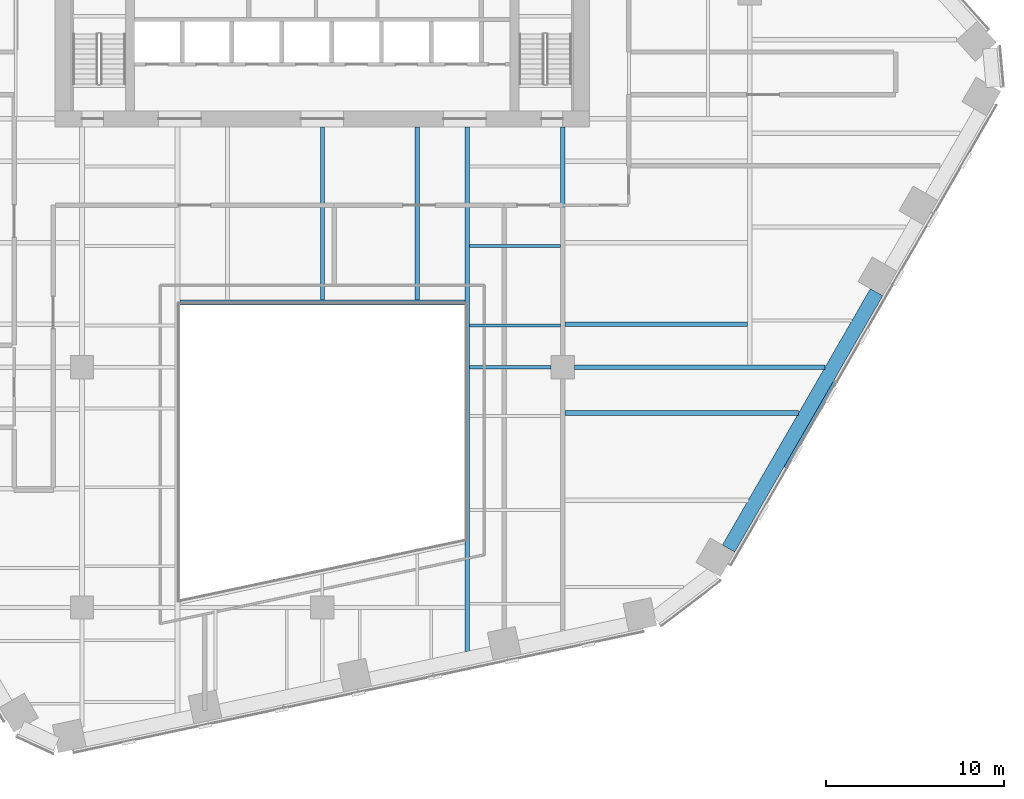
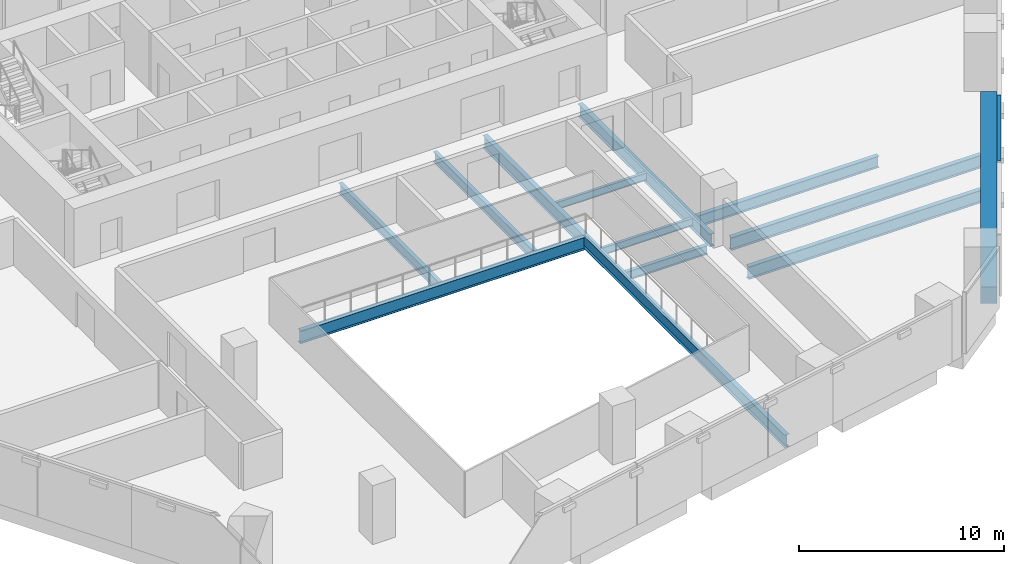
# One storey, part 6 of 21: 12 beams, 1 member, 1 element without a shape of its own.
"""IFC4 building model written with IfcOpenShell, lengths in metres."""

from ifc_helpers import new_model, si_unit, direction, frame, origin, origin_2d, place, context, subcontext, project, spatial, rectangle, i_section, extrude, material, layer, layer_set, material_profile, profile_set, type_object, element, aggregate, save


model = new_model("IFC4")

# Units and contexts
model_context = context("Model", 3, precision=1e-05, world=origin(), true_north=direction((0.0, 1.0)))
body_context = subcontext(model_context, "Body", "Model", "MODEL_VIEW")
ifc_project = project(units=[si_unit("LENGTHUNIT", "METRE"), si_unit("AREAUNIT", "SQUARE_METRE"), si_unit("VOLUMEUNIT", "CUBIC_METRE"), si_unit("PLANEANGLEUNIT", "RADIAN"), si_unit("MASSUNIT", "GRAM", prefix="KILO")], contexts=[model_context])

# Site, building, storey
site_placement = place(None, origin())
site = spatial("IfcSite", under=ifc_project, at=site_placement, CompositionType="ELEMENT")
building_placement = place(site_placement, origin())
building = spatial("IfcBuilding", under=site, at=building_placement, Name="Isthmus Gate Tower", CompositionType="ELEMENT")
storey_placement = place(building_placement, frame((0.0, 0.0, 109.85009765625)))
storey = spatial("IfcBuildingStorey", under=building, at=storey_placement, Name="L26", CompositionType="ELEMENT", Elevation=109.85009765625)

# Curtain wall, member
ifc_material_1 = material(Name="Aluminium, pale champagne anodised", Category="aluminium")
ifc_layer = layer(ifc_material_1, 0.199951171875)
ifc_layer_set = layer_set([ifc_layer], Name="CW-1 UNITISED CURTAIN WALL 200 DEEP")
curtain_wall_type = type_object("IfcCurtainWallType", Name="CW-1 UNITISED CURTAIN WALL 200 DEEP", PredefinedType="NOTDEFINED", material=ifc_layer_set)
curtain_wall_placement = place(storey_placement, origin())
curtain_wall = element("IfcCurtainWall", 1, at=curtain_wall_placement, inside=storey, type_object=curtain_wall_type, Name="CW-1 SE L26", PredefinedType="NOTDEFINED")
ifc_material_2 = material(Name="Aluminium, pale champagne anodised", Category="aluminium")
ifc_material_profile_1 = material_profile(ifc_material_2, rectangle(XDim=0.199951171875, YDim=0.14990234375, at=origin_2d()), Name="200x150")
ifc_profile_set_1 = profile_set([ifc_material_profile_1], Name="Aluminium, pale champagne anodised")
member_type = type_object("IfcMemberType", Name="CW-1 TRANSOM 200 X 150", PredefinedType="USERDEFINED", material=ifc_profile_set_1)
member_placement = place(storey_placement, frame((26.017822265625, -19.135986328125, 3.574951171875), z_axis=(0.499993363642, 0.866029235253, 0.0), x_axis=(-0.866029235253, 0.499993363642, 0.0)))
member = element("IfcMember", 2, at=member_placement, type_object=member_type, Name="CW-1 transom", ObjectType="TRANSOM", PredefinedType="USERDEFINED", context=body_context, shape_type="SweptSolid", body=[
    extrude(rectangle(XDim=0.199951171875, YDim=0.14990234375, at=origin_2d()), origin(), (0.0, 0.0, 1.0), 5.53857421875),
])
aggregate(curtain_wall, [member])

# Beams
ifc_material_3 = material(Name="Concrete f'c 70 MPa", Category="concrete")
ifc_material_profile_2 = material_profile(ifc_material_3, rectangle(XDim=0.800048828125, YDim=1.0, at=origin_2d()), Name="RC 800X1000")
ifc_profile_set_2 = profile_set([ifc_material_profile_2], Name="Concrete f'c 70 MPa")
beam_type_1 = type_object("IfcBeamType", Name="RC SPANDREL 800 X 1000", PredefinedType="SPANDREL", material=ifc_profile_set_2)
beam_1_placement = place(storey_placement, frame((31.123291015625, -9.292724609375, -0.5), z_axis=(-0.499999725976, -0.866025561992, 0.0), x_axis=(0.866025561992, -0.499999725976, 0.0)))
element("IfcBeam", 3, at=beam_1_placement, inside=storey, type_object=beam_type_1, Name="str-spandrel-L26-08", PredefinedType="SPANDREL", context=body_context, shape_type="SweptSolid", body=[
    extrude(rectangle(XDim=0.800048828125, YDim=1.0, at=origin_2d()), origin(), (0.0, 0.0, 1.0), 16.61572265625),
])
ifc_material_4 = material(Name="Structural steel ASTM A992 Gr 50", Category="steel")
ifc_material_profile_3 = material_profile(ifc_material_4, i_section(OverallWidth=0.15234375, OverallDepth=0.45068359375, WebThickness=0.0078125, FlangeThickness=0.010986328125, at=origin_2d()), Name="W18X35")
ifc_profile_set_3 = profile_set([ifc_material_profile_3], Name="Structural steel ASTM A992 Gr 50")
beam_type_2 = type_object("IfcBeamType", Name="STEEL FLOOR BEAM W18X35", PredefinedType="JOIST", material=ifc_profile_set_3)
for number, where, z_axis, x_axis, name in (
    (4, (8.263427734375, -11.16259765625, -0.37548828125), (1.0, 0.0, 0.0), (0.0, 1.0, 0.0), "str-beam-L26-24-00"),
    (5, (8.263427734375, -6.697509765625, -0.37548828125), (1.0, 0.0, 0.0), (0.0, 1.0, 0.0), "str-beam-L26-24-01"),
):
    element("IfcBeam", number, at=place(storey_placement, frame(where, z_axis=z_axis, x_axis=x_axis)), inside=storey, type_object=beam_type_2, Name=name, PredefinedType="JOIST", context=body_context, shape_type="SweptSolid", body=[
        extrude(i_section(OverallWidth=0.15234375, OverallDepth=0.45068359375, WebThickness=0.0078125, FlangeThickness=0.010986328125, at=origin_2d()), origin(), (0.0, 0.0, 1.0), 5.104736328125),
    ])
ifc_material_5 = material(Name="Structural steel ASTM A992 Gr 50", Category="steel")
ifc_material_profile_4 = material_profile(ifc_material_5, i_section(OverallWidth=0.228515625, OverallDepth=0.603271484375, WebThickness=0.010986328125, FlangeThickness=0.014404296875, at=origin_2d()), Name="W24X68")
ifc_profile_set_4 = profile_set([ifc_material_profile_4], Name="Structural steel ASTM A992 Gr 50")
beam_type_3 = type_object("IfcBeamType", Name="STEEL FLOOR BEAM W24X68", PredefinedType="JOIST", material=ifc_profile_set_4)
for number, where, z_axis, x_axis, name in (
    (6, (0.0, -9.7333984375, -0.45166015625), (0.0, 1.0, 0.0), (-1.0, 0.0, 0.0), "str-beam-L26-17-01"),
    (7, (5.333251953125, -9.7333984375, -0.45166015625), (0.0, 1.0, 0.0), (-1.0, 0.0, 0.0), "str-beam-L26-17-02"),
):
    element("IfcBeam", number, at=place(storey_placement, frame(where, z_axis=z_axis, x_axis=x_axis)), inside=storey, type_object=beam_type_3, Name=name, PredefinedType="JOIST", context=body_context, shape_type="SweptSolid", body=[
        extrude(i_section(OverallWidth=0.228515625, OverallDepth=0.603271484375, WebThickness=0.010986328125, FlangeThickness=0.014404296875, at=origin_2d()), origin(), (0.0, 0.0, 1.0), 9.7333984375),
    ])
ifc_material_6 = material(Name="Structural steel ASTM A992 Gr 50", Category="steel")
ifc_material_profile_5 = material_profile(ifc_material_6, i_section(OverallWidth=0.25390625, OverallDepth=0.679443359375, WebThickness=0.010986328125, FlangeThickness=0.015869140625, at=origin_2d()), Name="W27X84")
ifc_profile_set_5 = profile_set([ifc_material_profile_5], Name="Structural steel ASTM A992 Gr 50")
beam_type_4 = type_object("IfcBeamType", Name="STEEL FLOOR BEAM W27X84", PredefinedType="JOIST", material=ifc_profile_set_5)
beam_2_placement = place(storey_placement, frame((13.6318359375, -11.0830078125, -0.48974609375), z_axis=(1.0, 0.0, 0.0), x_axis=(0.0, 1.0, 0.0)))
element("IfcBeam", 8, at=beam_2_placement, inside=storey, type_object=beam_type_4, Name="str-beam-L26-27-00", PredefinedType="JOIST", context=body_context, shape_type="SweptSolid", body=[
    extrude(i_section(OverallWidth=0.25390625, OverallDepth=0.679443359375, WebThickness=0.010986328125, FlangeThickness=0.015869140625, at=origin_2d()), origin(), (0.0, 0.0, 1.0), 10.23486328125),
])
ifc_material_7 = material(Name="Structural steel ASTM A992 Gr 50", Category="steel")
ifc_material_profile_6 = material_profile(ifc_material_7, i_section(OverallWidth=0.263427734375, OverallDepth=0.749267578125, WebThickness=0.0126953125, FlangeThickness=0.015869140625, at=origin_2d()), Name="W30X90")
ifc_profile_set_6 = profile_set([ifc_material_profile_6], Name="Structural steel ASTM A992 Gr 50")
beam_type_5 = type_object("IfcBeamType", Name="STEEL FLOOR BEAM W30X90", PredefinedType="JOIST", material=ifc_profile_set_6)
beam_3_placement = place(storey_placement, frame((13.63330078125, -16.0751953125, -0.524658203125), z_axis=(1.0, 0.0, 0.0), x_axis=(0.0, 1.0, 0.0)))
element("IfcBeam", 9, at=beam_3_placement, inside=storey, type_object=beam_type_5, Name="str-beam-L26-28-02", PredefinedType="JOIST", context=body_context, shape_type="SweptSolid", body=[
    extrude(i_section(OverallWidth=0.263427734375, OverallDepth=0.749267578125, WebThickness=0.0126953125, FlangeThickness=0.015869140625, at=origin_2d()), origin(), (0.0, 0.0, 1.0), 13.1123046875),
])
ifc_material_8 = material(Name="Structural steel ASTM A992 Gr 50", Category="steel")
ifc_material_profile_7 = material_profile(ifc_material_8, i_section(OverallWidth=0.20947265625, OverallDepth=0.533447265625, WebThickness=0.009521484375, FlangeThickness=0.015869140625, at=origin_2d()), Name="W21X62")
ifc_profile_set_7 = profile_set([ifc_material_profile_7], Name="Structural steel ASTM A992 Gr 50")
beam_type_6 = type_object("IfcBeamType", Name="STEEL GIRDER W21X62", PredefinedType="BEAM", material=ifc_profile_set_7)
beam_4_placement = place(storey_placement, frame((8.263427734375, -13.5, -0.416748046875), z_axis=(1.0, 0.0, 0.0), x_axis=(0.0, 1.0, 0.0)))
element("IfcBeam", 10, at=beam_4_placement, inside=storey, type_object=beam_type_6, Name="str-girder-L26-07", PredefinedType="BEAM", context=body_context, shape_type="SweptSolid", body=[
    extrude(i_section(OverallWidth=0.20947265625, OverallDepth=0.533447265625, WebThickness=0.009521484375, FlangeThickness=0.015869140625, at=origin_2d()), origin(), (0.0, 0.0, 1.0), 4.586669921875),
])
ifc_material_9 = material(Name="Structural steel ASTM A992 Gr 50", Category="steel")
ifc_material_profile_8 = material_profile(ifc_material_9, i_section(OverallWidth=0.2666015625, OverallDepth=0.7587890625, WebThickness=0.014404296875, FlangeThickness=0.01904296875, at=origin_2d()), Name="W30X108")
ifc_profile_set_8 = profile_set([ifc_material_profile_8], Name="Structural steel ASTM A992 Gr 50")
beam_type_7 = type_object("IfcBeamType", Name="STEEL GIRDER W30X108", PredefinedType="BEAM", material=ifc_profile_set_8)
beam_5_placement = place(storey_placement, frame((14.14990234375, -13.5, -0.529541015625), z_axis=(1.0, 0.0, 0.0), x_axis=(0.0, 1.0, 0.0)))
element("IfcBeam", 11, at=beam_5_placement, inside=storey, type_object=beam_type_7, Name="str-girder-L26-08", PredefinedType="BEAM", context=body_context, shape_type="SweptSolid", body=[
    extrude(i_section(OverallWidth=0.2666015625, OverallDepth=0.7587890625, WebThickness=0.014404296875, FlangeThickness=0.01904296875, at=origin_2d()), origin(), (0.0, 0.0, 1.0), 14.08251953125),
])
ifc_material_10 = material(Name="Structural steel ASTM A992 Gr 50", Category="steel")
ifc_material_profile_9 = material_profile(ifc_material_10, i_section(OverallWidth=0.263427734375, OverallDepth=0.749267578125, WebThickness=0.0126953125, FlangeThickness=0.015869140625, at=origin_2d()), Name="W30X90")
ifc_profile_set_9 = profile_set([ifc_material_profile_9], Name="Structural steel ASTM A992 Gr 50")
beam_type_8 = type_object("IfcBeamType", Name="STEEL GIRDER W30X90", PredefinedType="BEAM", material=ifc_profile_set_9)
beam_6_placement = place(storey_placement, frame((13.5, -12.85009765625, -0.524658203125), z_axis=(0.0, 1.0, 0.0), x_axis=(-1.0, 0.0, 0.0)))
element("IfcBeam", 12, at=beam_6_placement, inside=storey, type_object=beam_type_8, Name="str-girder-L26-33", PredefinedType="BEAM", context=body_context, shape_type="SweptSolid", body=[
    extrude(i_section(OverallWidth=0.263427734375, OverallDepth=0.749267578125, WebThickness=0.0126953125, FlangeThickness=0.015869140625, at=origin_2d()), origin(), (0.0, 0.0, 1.0), 12.85009765625),
])
ifc_material_11 = material(Name="Structural steel ASTM A992 Gr 50", Category="steel")
ifc_material_profile_10 = material_profile(ifc_material_11, i_section(OverallWidth=0.2666015625, OverallDepth=0.7587890625, WebThickness=0.014404296875, FlangeThickness=0.01904296875, at=origin_2d()), Name="W30X108")
ifc_profile_set_10 = profile_set([ifc_material_profile_10], Name="Structural steel ASTM A992 Gr 50")
beam_type_9 = type_object("IfcBeamType", Name="STEEL TRIMMER W30X108", PredefinedType="BEAM", material=ifc_profile_set_10)
beam_7_placement = place(storey_placement, frame((8.0, -9.86669921875, -0.529541015625), z_axis=(-1.0, 0.0, 0.0), x_axis=(0.0, -1.0, 0.0)))
element("IfcBeam", 13, at=beam_7_placement, inside=storey, type_object=beam_type_9, Name="str-trimmer-L26-04", PredefinedType="BEAM", context=body_context, shape_type="SweptSolid", body=[
    extrude(i_section(OverallWidth=0.2666015625, OverallDepth=0.7587890625, WebThickness=0.014404296875, FlangeThickness=0.01904296875, at=origin_2d()), origin(), (0.0, 0.0, 1.0), 16.0),
])
ifc_material_12 = material(Name="Structural steel ASTM A992 Gr 50", Category="steel")
ifc_material_profile_11 = material_profile(ifc_material_12, i_section(OverallWidth=0.263427734375, OverallDepth=0.749267578125, WebThickness=0.0126953125, FlangeThickness=0.015869140625, at=origin_2d()), Name="W30X90")
ifc_profile_set_11 = profile_set([ifc_material_profile_11], Name="Structural steel ASTM A992 Gr 50")
beam_type_10 = type_object("IfcBeamType", Name="STEEL TRIMMER W30X90", PredefinedType="BEAM", material=ifc_profile_set_11)
beam_8_placement = place(storey_placement, frame((8.1318359375, -29.45361328125, -0.524658203125), z_axis=(0.0, 1.0, 0.0), x_axis=(-1.0, 0.0, 0.0)))
element("IfcBeam", 14, at=beam_8_placement, inside=storey, type_object=beam_type_10, Name="str-trimmer-L26-01", PredefinedType="BEAM", context=body_context, shape_type="SweptSolid", body=[
    extrude(i_section(OverallWidth=0.263427734375, OverallDepth=0.749267578125, WebThickness=0.0126953125, FlangeThickness=0.015869140625, at=origin_2d()), origin(), (0.0, 0.0, 1.0), 29.45361328125),
])

save(model, "model.ifc")
